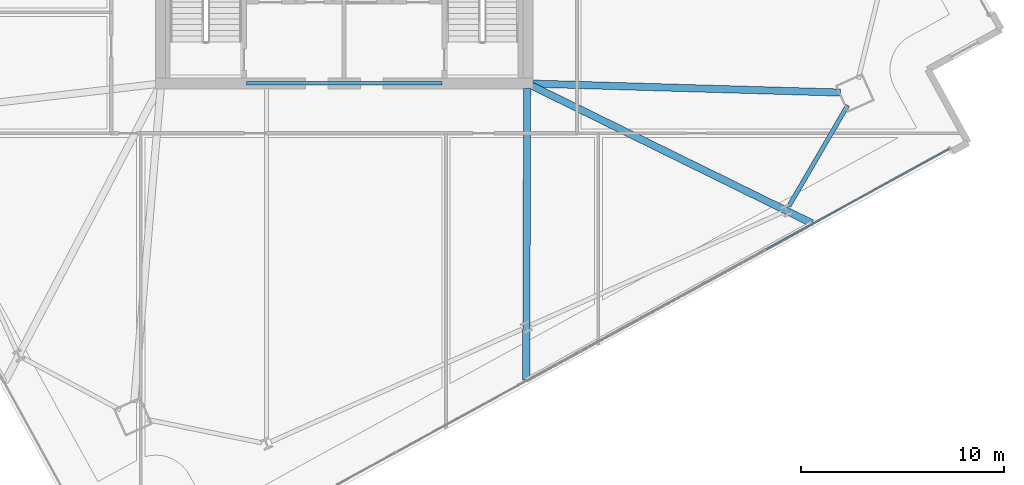
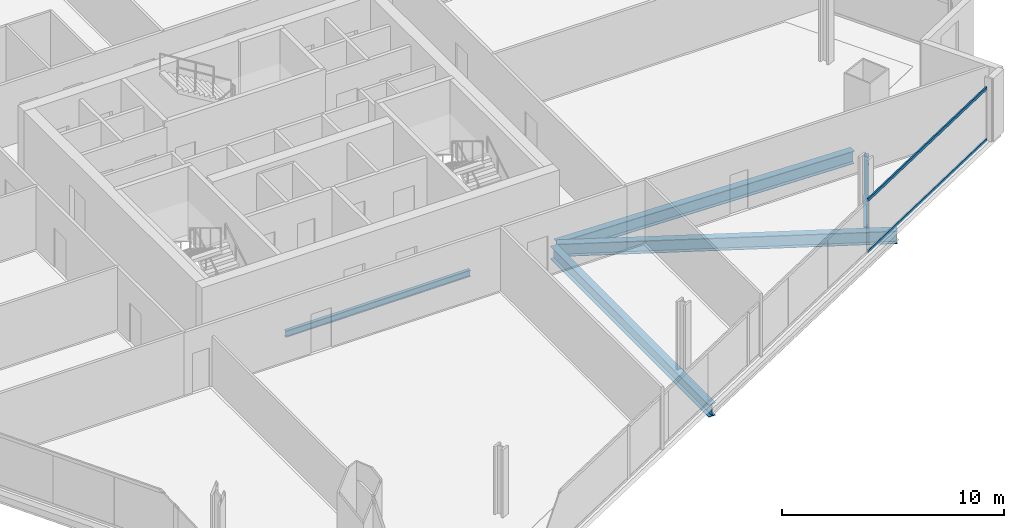
# One storey, part 9 of 33: 5 beams, 2 members, 1 element without a shape of its own.
"""IFC4 building model written with IfcOpenShell, lengths in metres."""

from ifc_helpers import new_model, si_unit, direction, frame, origin, origin_2d, place, context, subcontext, project, spatial, hollow_rectangle, i_section, extrude, material, material_profile, profile_set, type_object, element, aggregate, save


model = new_model("IFC4")

# Units and contexts
model_context = context("Model", 3, precision=1e-05, world=origin(), true_north=direction((0.0, 1.0)))
body_context = subcontext(model_context, "Body", "Model", "MODEL_VIEW")
ifc_project = project(units=[si_unit("LENGTHUNIT", "METRE"), si_unit("AREAUNIT", "SQUARE_METRE"), si_unit("VOLUMEUNIT", "CUBIC_METRE"), si_unit("PLANEANGLEUNIT", "RADIAN"), si_unit("MASSUNIT", "GRAM", prefix="KILO")], contexts=[model_context])

# Site, building, storey
site_placement = place(None, origin())
site = spatial("IfcSite", under=ifc_project, at=site_placement, CompositionType="ELEMENT")
building_placement = place(site_placement, origin())
building = spatial("IfcBuilding", under=site, at=building_placement, Name="Haldenkirk Collegiate Tower", CompositionType="ELEMENT")
storey_placement = place(building_placement, frame((0.0, 0.0, 124.199951171875)))
storey = spatial("IfcBuildingStorey", under=building, at=storey_placement, Name="L30", CompositionType="ELEMENT", Elevation=124.199951171875)

# Beams
ifc_material_1 = material(Name="Steel ASTM A992 Grade 50", Category="steel")
ifc_material_profile_1 = material_profile(ifc_material_1, i_section(OverallWidth=0.35498046875, OverallDepth=0.696044921875, WebThickness=0.015380859375, FlangeThickness=0.02490234375, at=origin_2d()), Name="W27X146")
ifc_profile_set_1 = profile_set([ifc_material_profile_1], Name="Steel ASTM A992 Grade 50")
beam_type_1 = type_object("IfcBeamType", Name="BM-GIRDER-W27X146", PredefinedType="BEAM", material=ifc_profile_set_1)
beam_1_placement = place(storey_placement, frame((60.4072265625, 17.55322265625, -0.64794921875), z_axis=(-0.999579697841, 0.028990130448, 0.0), x_axis=(-0.028990130448, -0.999579697841, 0.0)))
element("IfcBeam", 1, at=beam_1_placement, inside=storey, type_object=beam_type_1, Name="L30 primary floor girder 02", PredefinedType="BEAM", context=body_context, shape_type="SweptSolid", body=[
    extrude(i_section(OverallWidth=0.35498046875, OverallDepth=0.696044921875, WebThickness=0.015380859375, FlangeThickness=0.02490234375, at=origin_2d()), origin(), (0.0, 0.0, 1.0), 15.15869140625),
])
beam_2_placement = place(storey_placement, frame((44.951171875, 3.41650390625, -0.64794921875), z_axis=(0.003339562226, 0.999994423647, 0.0), x_axis=(-0.999994423647, 0.003339562226, 0.0)))
element("IfcBeam", 2, at=beam_2_placement, inside=storey, type_object=beam_type_1, Name="L30 primary floor girder 06", PredefinedType="BEAM", context=body_context, shape_type="SweptSolid", body=[
    extrude(i_section(OverallWidth=0.35498046875, OverallDepth=0.696044921875, WebThickness=0.015380859375, FlangeThickness=0.02490234375, at=origin_2d()), origin(), (0.0, 0.0, 1.0), 14.32861328125),
])
beam_3_placement = place(storey_placement, frame((59.002685546875, 11.12548828125, -0.64794921875), z_axis=(-0.897652618749, 0.440703728204, 0.0), x_axis=(-0.440703728204, -0.897652618749, 0.0)))
element("IfcBeam", 3, at=beam_3_placement, inside=storey, type_object=beam_type_1, Name="L30 primary floor girder 07", PredefinedType="BEAM", context=body_context, shape_type="SweptSolid", body=[
    extrude(i_section(OverallWidth=0.35498046875, OverallDepth=0.696044921875, WebThickness=0.015380859375, FlangeThickness=0.02490234375, at=origin_2d()), origin(), (0.0, 0.0, 1.0), 15.343994140625),
])
ifc_material_profile_2 = material_profile(ifc_material_1, i_section(OverallWidth=0.1708984375, OverallDepth=0.35595703125, WebThickness=0.007080078125, FlangeThickness=0.01171875, at=origin_2d()), Name="W14X34")
ifc_profile_set_2 = profile_set([ifc_material_profile_2], Name="Steel ASTM A992 Grade 50")
beam_type_2 = type_object("IfcBeamType", Name="BM-LINTEL-W14X34", PredefinedType="LINTEL", material=ifc_profile_set_2)
beam_4_placement = place(storey_placement, frame((31.199951171875, 18.0, -0.47802734375), z_axis=(1.0, 0.0, 0.0), x_axis=(0.0, 1.0, 0.0)))
element("IfcBeam", 4, at=beam_4_placement, inside=storey, type_object=beam_type_2, Name="L30 south core coupling lintel", PredefinedType="LINTEL", context=body_context, shape_type="SweptSolid", body=[
    extrude(i_section(OverallWidth=0.1708984375, OverallDepth=0.35595703125, WebThickness=0.007080078125, FlangeThickness=0.01171875, at=origin_2d()), origin(), (0.0, 0.0, 1.0), 9.60009765625),
])
ifc_material_profile_3 = material_profile(ifc_material_1, i_section(OverallWidth=0.2119140625, OverallDepth=0.5439453125, WebThickness=0.01318359375, FlangeThickness=0.021240234375, at=origin_2d()), Name="W21X83")
ifc_profile_set_3 = profile_set([ifc_material_profile_3], Name="Steel ASTM A992 Grade 50")
beam_type_3 = type_object("IfcBeamType", Name="BM-SPANDREL-W21X83", PredefinedType="SPANDREL", material=ifc_profile_set_3)
beam_5_placement = place(storey_placement, frame((57.86181640625, 11.958251953125, -0.572021484375), z_axis=(0.503667660107, 0.863897498643, 0.0), x_axis=(-0.863897498643, 0.503667660107, 0.0)))
element("IfcBeam", 5, at=beam_5_placement, inside=storey, type_object=beam_type_3, Name="L30 perimeter spandrel beam 04", PredefinedType="SPANDREL", context=body_context, shape_type="SweptSolid", body=[
    extrude(i_section(OverallWidth=0.2119140625, OverallDepth=0.5439453125, WebThickness=0.01318359375, FlangeThickness=0.021240234375, at=origin_2d()), origin(), (0.0, 0.0, 1.0), 5.747802734375),
])

# Curtain wall, members
ifc_material_2 = material(Name="Anodised architectural bronze aluminium", Category="aluminium")
curtain_wall_type = type_object("IfcCurtainWallType", Name="CW-SYS2-CONCAVE", PredefinedType="USERDEFINED", material=ifc_material_2)
curtain_wall_placement = place(storey_placement, origin())
curtain_wall = element("IfcCurtainWall", 6, at=curtain_wall_placement, inside=storey, type_object=curtain_wall_type, Name="L30 South concave recessed bronze-anodised curtain wall", ObjectType="UNITISED CURTAIN WALL", PredefinedType="USERDEFINED")
ifc_material_profile_4 = material_profile(ifc_material_2, hollow_rectangle(XDim=0.074951171875, YDim=0.159912109375, WallThickness=0.0048828125, at=origin_2d()), Name="CW-TRN-02")
ifc_profile_set_4 = profile_set([ifc_material_profile_4], Name="Anodised architectural bronze aluminium")
member_type = type_object("IfcMemberType", Name="CW-TRN-02", PredefinedType="USERDEFINED", material=ifc_profile_set_4)
member_1_placement = place(storey_placement, frame((65.73974609375, 14.77587890625, 0.03759765625), z_axis=(-0.876719212987, -0.481002517228, 0.0), x_axis=(0.481002517228, -0.876719212987, 0.0)))
member_1 = element("IfcMember", 7, at=member_1_placement, type_object=member_type, Name="CW-02 transom 1.1", ObjectType="TRANSOM", PredefinedType="USERDEFINED", context=body_context, shape_type="SweptSolid", body=[
    extrude(hollow_rectangle(XDim=0.074951171875, YDim=0.159912109375, WallThickness=0.0048828125, at=origin_2d()), origin(), (0.0, 0.0, 1.0), 10.262451171875),
])
member_2_placement = place(storey_placement, frame((65.73974609375, 14.77587890625, 2.863525390625), z_axis=(-0.876719212987, -0.481002517228, 0.0), x_axis=(0.481002517228, -0.876719212987, 0.0)))
member_2 = element("IfcMember", 8, at=member_2_placement, type_object=member_type, Name="CW-02 transom 1.2", ObjectType="TRANSOM", PredefinedType="USERDEFINED", context=body_context, shape_type="SweptSolid", body=[
    extrude(hollow_rectangle(XDim=0.074951171875, YDim=0.159912109375, WallThickness=0.0048828125, at=origin_2d()), origin(), (0.0, 0.0, 1.0), 10.262451171875),
])
aggregate(curtain_wall, [member_1, member_2])

save(model, "model.ifc")
